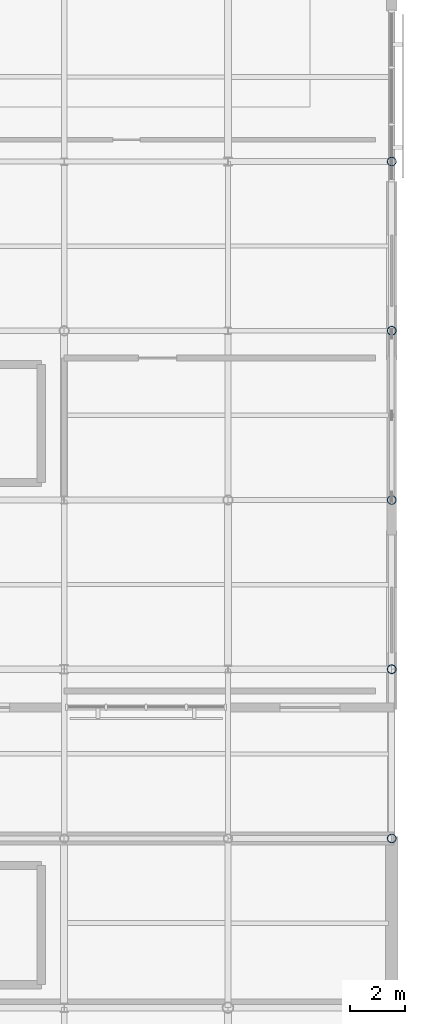
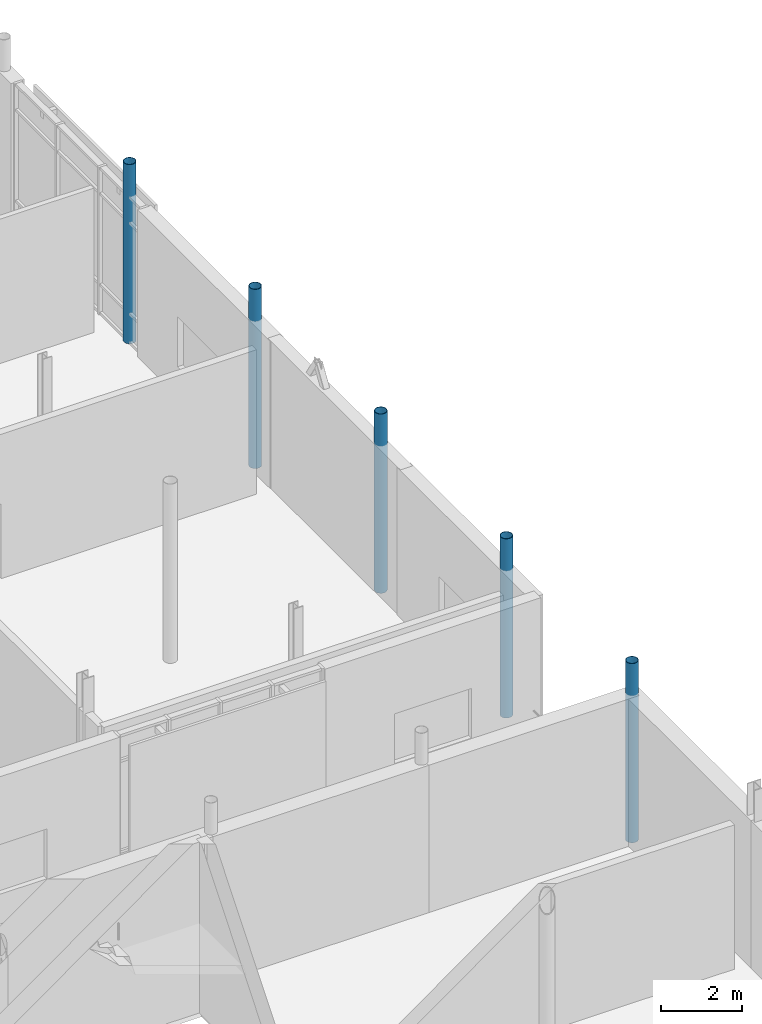
# One storey, part 15 of 105: 5 columns.
"""IFC4 building model written with IfcOpenShell, lengths in metres."""

from ifc_helpers import new_model, si_unit, direction, frame, origin, origin_2d, place, context, subcontext, project, spatial, hollow_circle, extrude, material, material_profile, profile_set, type_object, element, save


model = new_model("IFC4")

# Units and contexts
model_context = context("Model", 3, precision=1e-05, world=origin(), true_north=direction((0.0, 1.0)))
body_context = subcontext(model_context, "Body", "Model", "MODEL_VIEW")
ifc_project = project(units=[si_unit("LENGTHUNIT", "METRE"), si_unit("AREAUNIT", "SQUARE_METRE"), si_unit("VOLUMEUNIT", "CUBIC_METRE"), si_unit("PLANEANGLEUNIT", "RADIAN"), si_unit("MASSUNIT", "GRAM", prefix="KILO")], contexts=[model_context])

# Site, building, storey
site_placement = place(None, origin())
site = spatial("IfcSite", under=ifc_project, at=site_placement, CompositionType="ELEMENT")
building_placement = place(site_placement, origin())
building = spatial("IfcBuilding", under=site, at=building_placement, Name="Mirzam Square Science Centre", CompositionType="ELEMENT")
storey_placement = place(building_placement, frame((0.0, 0.0, 5.39990234375)))
storey = spatial("IfcBuildingStorey", under=building, at=storey_placement, Name="L01", CompositionType="ELEMENT", Elevation=5.39990234375)

# Columns
ifc_material = material(Name="Steel S355", Category="steel")
ifc_material_profile = material_profile(ifc_material, hollow_circle(Radius=0.161865234375, WallThickness=0.012451171875, at=origin_2d()), Name="323.9x12.5CHS")
ifc_profile_set = profile_set([ifc_material_profile], Name="Steel S355")
column_type = type_object("IfcColumnType", Name="COL-CHS324", PredefinedType="COLUMN", material=ifc_profile_set)
for number, where, z_axis, x_axis, name in (
    (1, (162.0, 37.199951171875, 0.0), (0.0, 0.0, 1.0), (1.0, 0.0, 0.0), "L01 column G28-07"),
    (2, (162.0, 43.39990234375, 0.0), (0.0, 0.0, 1.0), (1.0, 0.0, 0.0), "L01 column G28-08"),
    (3, (162.0, 49.60009765625, 0.0), (0.0, 0.0, 1.0), (1.0, 0.0, 0.0), "L01 column G28-09"),
    (4, (162.0, 55.800048828125, 0.0), (0.0, 0.0, 1.0), (1.0, 0.0, 0.0), "L01 column G28-10"),
    (5, (162.0, 62.0, 0.0), (0.0, 0.0, 1.0), (1.0, 0.0, 0.0), "L01 column G28-11"),
):
    element("IfcColumn", number, at=place(storey_placement, frame(where, z_axis=z_axis, x_axis=x_axis)), inside=storey, type_object=column_type, Name=name, PredefinedType="COLUMN", context=body_context, shape_type="SweptSolid", body=[
        extrude(hollow_circle(Radius=0.161865234375, WallThickness=0.012451171875, at=origin_2d()), origin(), (0.0, 0.0, 1.0), 5.400146484375),
    ])

save(model, "model.ifc")
